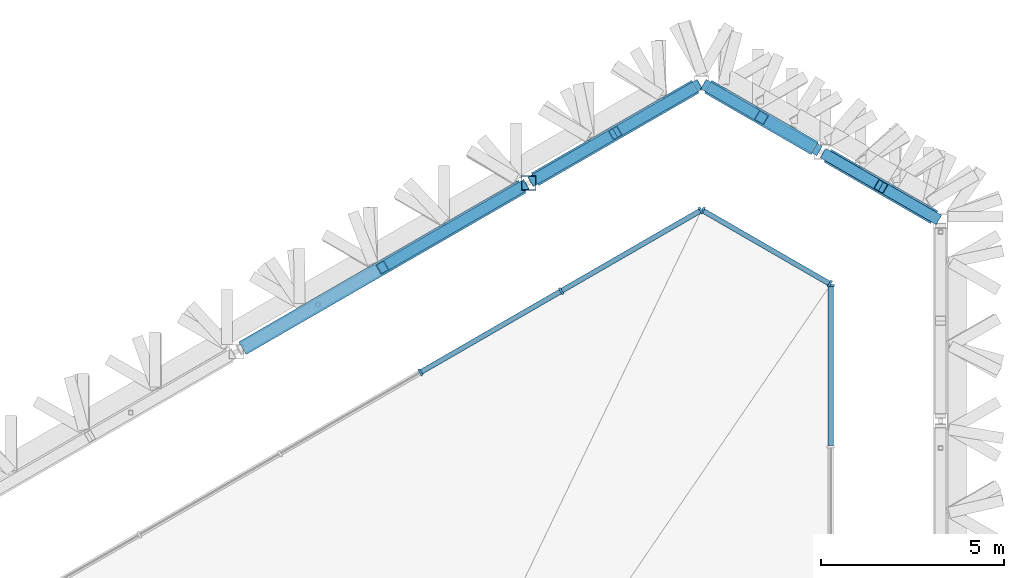
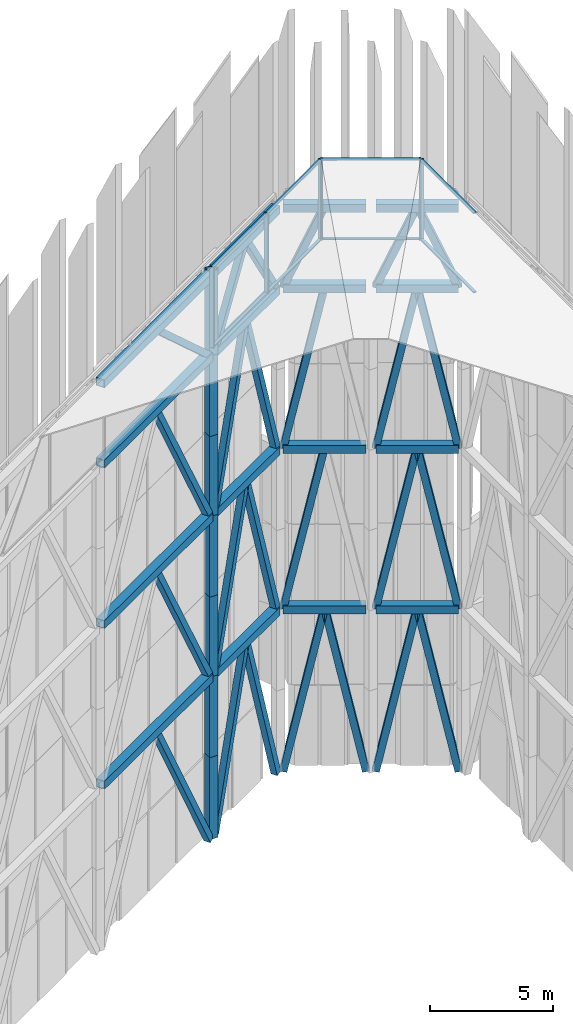
# One storey, part 16 of 45: 62 members, 3 elements without a shape of their own.
"""IFC4 building model written with IfcOpenShell, lengths in metres."""

from ifc_helpers import new_model, si_unit, direction, frame, origin, origin_2d, place, context, subcontext, project, spatial, rectangle, hollow_rectangle, extrude, material, layer, layer_set, material_profile, profile_set, type_object, element, aggregate, save


model = new_model("IFC4")

# Units and contexts
model_context = context("Model", 3, precision=1e-05, world=origin(), true_north=direction((0.0, 1.0)))
body_context = subcontext(model_context, "Body", "Model", "MODEL_VIEW")
ifc_project = project(units=[si_unit("LENGTHUNIT", "METRE"), si_unit("AREAUNIT", "SQUARE_METRE"), si_unit("VOLUMEUNIT", "CUBIC_METRE"), si_unit("PLANEANGLEUNIT", "RADIAN"), si_unit("MASSUNIT", "GRAM", prefix="KILO")], contexts=[model_context])

# Site, building, storey
site_placement = place(None, origin())
site = spatial("IfcSite", under=ifc_project, at=site_placement, CompositionType="ELEMENT")
building_placement = place(site_placement, origin())
building = spatial("IfcBuilding", under=site, at=building_placement, Name="Jabali Bay Hotel Tower and Convention Centre", CompositionType="ELEMENT")
storey_placement = place(building_placement, frame((0.0, 0.0, 322.39990234375)))
storey = spatial("IfcBuildingStorey", under=building, at=storey_placement, Name="Crown", CompositionType="ELEMENT", Elevation=322.39990234375)

# Curtain wall, member
ifc_material_1 = material(Name="Aluminium and glass", Category="aluminium")
ifc_layer = layer(ifc_material_1, 0.199951171875)
ifc_layer_set = layer_set([ifc_layer], Name="Aluminium and glass")
curtain_wall_type = type_object("IfcCurtainWallType", Name="CW6 curtain wall", PredefinedType="NOTDEFINED", material=ifc_layer_set)
curtain_wall_1_placement = place(storey_placement, origin())
curtain_wall_1 = element("IfcCurtainWall", 1, at=curtain_wall_1_placement, inside=storey, type_object=curtain_wall_type, Name="CW6 lantern glazing 1", PredefinedType="NOTDEFINED")
ifc_material_2 = material(Name="Aluminium", Category="aluminium")
ifc_material_profile_1 = material_profile(ifc_material_2, rectangle(XDim=0.199951171875, YDim=0.06005859375, at=origin_2d()), Name="CW6 mullion 60 x 200")
ifc_profile_set_1 = profile_set([ifc_material_profile_1], Name="Aluminium")
member_type_1 = type_object("IfcMemberType", Name="CW6 mullion 60 x 200", PredefinedType="MULLION", material=ifc_profile_set_1)
member_1_placement = place(storey_placement, frame((90.148681640625, 102.139892578125, 28.35009765625), z_axis=(0.0, 0.0, 1.0), x_axis=(-1.0, 0.0, 0.0)))
member_1 = element("IfcMember", 2, at=member_1_placement, type_object=member_type_1, Name="CW6 mullion 11", PredefinedType="MULLION", context=body_context, shape_type="SweptSolid", body=[
    extrude(rectangle(XDim=0.199951171875, YDim=0.06005859375, at=origin_2d()), origin(), (0.0, 0.0, 1.0), 4.0),
])

# Curtain wall, members
curtain_wall_2_placement = place(storey_placement, origin())
curtain_wall_2 = element("IfcCurtainWall", 3, at=curtain_wall_2_placement, inside=storey, type_object=curtain_wall_type, Name="CW6 lantern glazing 2", PredefinedType="NOTDEFINED")
member_2_placement = place(storey_placement, frame((90.122802734375, 102.184814453125, 28.35009765625), z_axis=(0.0, 0.0, 1.0), x_axis=(-0.499999973851, -0.866025418882, 0.0)))
member_2 = element("IfcMember", 4, at=member_2_placement, type_object=member_type_1, Name="CW6 mullion 1", PredefinedType="MULLION", context=body_context, shape_type="SweptSolid", body=[
    extrude(rectangle(XDim=0.199951171875, YDim=0.06005859375, at=origin_2d()), origin(), (0.0, 0.0, 1.0), 4.0),
])
member_3_placement = place(storey_placement, frame((86.6513671875, 104.189208984375, 28.35009765625), z_axis=(0.0, 0.0, 1.0), x_axis=(-0.499999973851, -0.866025418882, 0.0)))
member_3 = element("IfcMember", 5, at=member_3_placement, type_object=member_type_1, Name="CW6 mullion 2", PredefinedType="MULLION", context=body_context, shape_type="SweptSolid", body=[
    extrude(rectangle(XDim=0.199951171875, YDim=0.06005859375, at=origin_2d()), origin(), (0.0, 0.0, 1.0), 4.0),
])

curtain_wall_3_placement = place(storey_placement, origin())
curtain_wall_3 = element("IfcCurtainWall", 6, at=curtain_wall_3_placement, inside=storey, type_object=curtain_wall_type, Name="CW6 lantern glazing 3", PredefinedType="NOTDEFINED")
member_4_placement = place(storey_placement, frame((86.599365234375, 104.189208984375, 28.35009765625), z_axis=(0.0, 0.0, 1.0), x_axis=(0.500000005124, -0.866025400826, 0.0)))
member_4 = element("IfcMember", 7, at=member_4_placement, type_object=member_type_1, Name="CW6 mullion 1", PredefinedType="MULLION", context=body_context, shape_type="SweptSolid", body=[
    extrude(rectangle(XDim=0.199951171875, YDim=0.06005859375, at=origin_2d()), origin(), (0.0, 0.0, 1.0), 4.0),
])
member_5_placement = place(storey_placement, frame((82.785400390625, 101.9873046875, 28.35009765625), z_axis=(0.0, 0.0, 1.0), x_axis=(0.500000005124, -0.866025400826, 0.0)))
member_5 = element("IfcMember", 8, at=member_5_placement, type_object=member_type_1, Name="CW6 mullion 2", PredefinedType="MULLION", context=body_context, shape_type="SweptSolid", body=[
    extrude(rectangle(XDim=0.199951171875, YDim=0.06005859375, at=origin_2d()), origin(), (0.0, 0.0, 1.0), 4.0),
])
member_6_placement = place(storey_placement, frame((78.945556640625, 99.770263671875, 28.35009765625), z_axis=(0.0, 0.0, 1.0), x_axis=(0.500000005124, -0.866025400826, 0.0)))
member_6 = element("IfcMember", 9, at=member_6_placement, type_object=member_type_1, Name="CW6 mullion 3", PredefinedType="MULLION", context=body_context, shape_type="SweptSolid", body=[
    extrude(rectangle(XDim=0.199951171875, YDim=0.06005859375, at=origin_2d()), origin(), (0.0, 0.0, 1.0), 4.0),
])

# Member
ifc_material_profile_2 = material_profile(ifc_material_2, rectangle(XDim=0.139892578125, YDim=0.06005859375, at=origin_2d()), Name="CW6 transom 60 x 140")
ifc_profile_set_2 = profile_set([ifc_material_profile_2], Name="Aluminium")
member_type_2 = type_object("IfcMemberType", Name="CW6 transom 60 x 140", PredefinedType="USERDEFINED", material=ifc_profile_set_2)
member_7_placement = place(storey_placement, frame((90.148681640625, 97.765869140625, 28.380126953125), z_axis=(0.0, 1.0, 0.0), x_axis=(-1.0, 0.0, 0.0)))
member_7 = element("IfcMember", 10, at=member_7_placement, type_object=member_type_2, Name="CW6 transom 10.1", ObjectType="TRANSOM", PredefinedType="USERDEFINED", context=body_context, shape_type="SweptSolid", body=[
    extrude(rectangle(XDim=0.139892578125, YDim=0.06005859375, at=origin_2d()), origin(), (0.0, 0.0, 1.0), 4.343994140625),
])

member_8_placement = place(storey_placement, frame((90.148681640625, 97.765869140625, 32.320068359375), z_axis=(0.0, 1.0, 0.0), x_axis=(-1.0, 0.0, 0.0)))
member_8 = element("IfcMember", 11, at=member_8_placement, type_object=member_type_2, Name="CW6 transom 10.2", ObjectType="TRANSOM", PredefinedType="USERDEFINED", context=body_context, shape_type="SweptSolid", body=[
    extrude(rectangle(XDim=0.139892578125, YDim=0.06005859375, at=origin_2d()), origin(), (0.0, 0.0, 1.0), 4.343994140625),
])

aggregate(curtain_wall_1, [member_1, member_7, member_8])

member_9_placement = place(storey_placement, frame((90.096923828125, 102.199951171875, 28.380126953125), z_axis=(-0.866050709169, 0.499956167226, 0.0), x_axis=(-0.499956167226, -0.866050709169, 0.0)))
member_9 = element("IfcMember", 12, at=member_9_placement, type_object=member_type_2, Name="CW6 transom 1.1", ObjectType="TRANSOM", PredefinedType="USERDEFINED", context=body_context, shape_type="SweptSolid", body=[
    extrude(rectangle(XDim=0.139892578125, YDim=0.06005859375, at=origin_2d()), origin(), (0.0, 0.0, 1.0), 3.948486328125),
])

member_10_placement = place(storey_placement, frame((90.096923828125, 102.199951171875, 32.320068359375), z_axis=(-0.866050709169, 0.499956167226, 0.0), x_axis=(-0.499956167226, -0.866050709169, 0.0)))
member_10 = element("IfcMember", 13, at=member_10_placement, type_object=member_type_2, Name="CW6 transom 1.2", ObjectType="TRANSOM", PredefinedType="USERDEFINED", context=body_context, shape_type="SweptSolid", body=[
    extrude(rectangle(XDim=0.139892578125, YDim=0.06005859375, at=origin_2d()), origin(), (0.0, 0.0, 1.0), 3.948486328125),
])

aggregate(curtain_wall_2, [member_2, member_3, member_9, member_10])

member_11_placement = place(storey_placement, frame((86.573486328125, 104.174072265625, 28.380126953125), z_axis=(-0.866048951036, -0.499959212746, 0.0), x_axis=(0.499959212746, -0.866048951036, 0.0)))
member_11 = element("IfcMember", 14, at=member_11_placement, type_object=member_type_2, Name="CW6 transom 1.1", ObjectType="TRANSOM", PredefinedType="USERDEFINED", context=body_context, shape_type="SweptSolid", body=[
    extrude(rectangle(XDim=0.139892578125, YDim=0.06005859375, at=origin_2d()), origin(), (0.0, 0.0, 1.0), 4.343994140625),
])

member_12_placement = place(storey_placement, frame((86.573486328125, 104.174072265625, 32.320068359375), z_axis=(-0.866048951036, -0.499959212746, 0.0), x_axis=(0.499959212746, -0.866048951036, 0.0)))
member_12 = element("IfcMember", 15, at=member_12_placement, type_object=member_type_2, Name="CW6 transom 1.2", ObjectType="TRANSOM", PredefinedType="USERDEFINED", context=body_context, shape_type="SweptSolid", body=[
    extrude(rectangle(XDim=0.139892578125, YDim=0.06005859375, at=origin_2d()), origin(), (0.0, 0.0, 1.0), 4.343994140625),
])

member_13_placement = place(storey_placement, frame((82.759521484375, 101.97216796875, 28.380126953125), z_axis=(-0.866029434536, -0.499993018469, 0.0), x_axis=(0.499993018469, -0.866029434536, 0.0)))
member_13 = element("IfcMember", 16, at=member_13_placement, type_object=member_type_2, Name="CW6 transom 2.1", ObjectType="TRANSOM", PredefinedType="USERDEFINED", context=body_context, shape_type="SweptSolid", body=[
    extrude(rectangle(XDim=0.139892578125, YDim=0.06005859375, at=origin_2d()), origin(), (0.0, 0.0, 1.0), 4.3740234375),
])

member_14_placement = place(storey_placement, frame((82.759521484375, 101.97216796875, 32.320068359375), z_axis=(-0.866029434536, -0.499993018469, 0.0), x_axis=(0.499993018469, -0.866029434536, 0.0)))
member_14 = element("IfcMember", 17, at=member_14_placement, type_object=member_type_2, Name="CW6 transom 2.2", ObjectType="TRANSOM", PredefinedType="USERDEFINED", context=body_context, shape_type="SweptSolid", body=[
    extrude(rectangle(XDim=0.139892578125, YDim=0.06005859375, at=origin_2d()), origin(), (0.0, 0.0, 1.0), 4.3740234375),
])

aggregate(curtain_wall_3, [member_4, member_5, member_6, member_11, member_12, member_13, member_14])

# Members
ifc_material_3 = material(Name="Steel Q420GJC", Category="steel")
ifc_material_profile_3 = material_profile(ifc_material_3, hollow_rectangle(XDim=0.300048828125, YDim=0.300048828125, WallThickness=0.01611328125, at=origin_2d()), Name="Crown frame brace 300x300x16")
ifc_profile_set_3 = profile_set([ifc_material_profile_3], Name="Steel Q420GJC")
member_type_3 = type_object("IfcMemberType", Name="Crown frame brace 300x300x16", PredefinedType="USERDEFINED", material=ifc_profile_set_3)
for number, where, z_axis, x_axis, name in (
    (18, (89.7138671875, 105.88525390625, -0.099853515625), (-0.176807123891, 0.102069026302, 0.978938790125), (-0.499961005871, -0.866047915885, 0.0), "Crown brace 1 M1-V2l"),
    (19, (86.798583984375, 107.568359375, -0.099853515625), (0.176778438354, -0.102069560637, 0.978943914902), (0.500023814363, 0.866011654119, 0.0), "Crown brace 1 M1-V2r"),
):
    element("IfcMember", number, at=place(storey_placement, frame(where, z_axis=z_axis, x_axis=x_axis)), inside=storey, type_object=member_type_3, Name=name, ObjectType="CROWN FRAME", PredefinedType="USERDEFINED", context=body_context, shape_type="SweptSolid", body=[
        extrude(hollow_rectangle(XDim=0.300048828125, YDim=0.300048828125, WallThickness=0.01611328125, at=origin_2d()), origin(), (0.0, 0.0, 1.0), 8.244873046875),
    ])
for number, where, z_axis, x_axis, name in (
    (20, (86.4521484375, 107.568359375, -0.099853515625), (-0.258862256531, -0.14946351074, 0.954280352465), (0.500023377642, -0.866011906276, 0.0), "Crown brace 1 V2-F1.1l"),
    (21, (82.072998046875, 105.0400390625, -0.099853515625), (0.258889187092, 0.149462393886, 0.954273221683), (-0.499981564561, 0.866036047228, 0.0), "Crown brace 1 V2-F1.1r"),
):
    element("IfcMember", number, at=place(storey_placement, frame(where, z_axis=z_axis, x_axis=x_axis)), inside=storey, type_object=member_type_3, Name=name, ObjectType="CROWN FRAME", PredefinedType="USERDEFINED", context=body_context, shape_type="SweptSolid", body=[
        extrude(hollow_rectangle(XDim=0.300048828125, YDim=0.300048828125, WallThickness=0.01611328125, at=origin_2d()), origin(), (0.0, 0.0, 1.0), 8.4580078125),
    ])
member_15_placement = place(storey_placement, frame((81.726806640625, 104.840087890625, -0.099853515625), z_axis=(-0.415356517765, -0.239807408653, 0.877480125077), x_axis=(0.5000018942, -0.866024310165, 0.0)))
element("IfcMember", 22, at=member_15_placement, inside=storey, type_object=member_type_3, Name="Crown brace 1 F1.1-F1.2l", ObjectType="CROWN FRAME", PredefinedType="USERDEFINED", context=body_context, shape_type="SweptSolid", body=[
    extrude(hollow_rectangle(XDim=0.300048828125, YDim=0.300048828125, WallThickness=0.01611328125, at=origin_2d()), origin(), (0.0, 0.0, 1.0), 9.1982421875),
])
for number, where, z_axis, x_axis, name in (
    (23, (92.9755859375, 104.001953125, -0.099853515625), (-0.176807123891, 0.102069026302, 0.978938790125), (-0.499961005871, -0.866047915885, 0.0), "Crown brace 1 V1-M1l"),
    (24, (90.060302734375, 105.68505859375, -0.099853515625), (0.176778438354, -0.102069560637, 0.978943914902), (0.500023814363, 0.866011654119, 0.0), "Crown brace 1 V1-M1r"),
):
    element("IfcMember", number, at=place(storey_placement, frame(where, z_axis=z_axis, x_axis=x_axis)), inside=storey, type_object=member_type_3, Name=name, ObjectType="CROWN FRAME", PredefinedType="USERDEFINED", context=body_context, shape_type="SweptSolid", body=[
        extrude(hollow_rectangle(XDim=0.300048828125, YDim=0.300048828125, WallThickness=0.01611328125, at=origin_2d()), origin(), (0.0, 0.0, 1.0), 8.244873046875),
    ])
member_16_placement = place(storey_placement, frame((86.798583984375, 107.568359375, 7.971435546875), z_axis=(0.178898900157, -0.103293887578, 0.978430148918), x_axis=(0.500023814363, 0.866011654119, 0.0)))
element("IfcMember", 25, at=member_16_placement, inside=storey, type_object=member_type_3, Name="Crown brace 2 M1-V2r", ObjectType="CROWN FRAME", PredefinedType="USERDEFINED", context=body_context, shape_type="SweptSolid", body=[
    extrude(hollow_rectangle(XDim=0.300048828125, YDim=0.300048828125, WallThickness=0.01611328125, at=origin_2d()), origin(), (0.0, 0.0, 1.0), 8.147216796875),
])
for number, where, z_axis, x_axis, name in (
    (26, (86.4521484375, 107.568359375, 7.971435546875), (-0.261810179426, -0.151165600922, 0.953207422887), (0.500023377642, -0.866011906276, 0.0), "Crown brace 2 V2-F1.1l"),
    (27, (82.072998046875, 105.0400390625, 7.971435546875), (0.261837371857, 0.151164445476, 0.953200136972), (-0.499981564561, 0.866036047228, 0.0), "Crown brace 2 V2-F1.1r"),
):
    element("IfcMember", number, at=place(storey_placement, frame(where, z_axis=z_axis, x_axis=x_axis)), inside=storey, type_object=member_type_3, Name=name, ObjectType="CROWN FRAME", PredefinedType="USERDEFINED", context=body_context, shape_type="SweptSolid", body=[
        extrude(hollow_rectangle(XDim=0.300048828125, YDim=0.300048828125, WallThickness=0.01611328125, at=origin_2d()), origin(), (0.0, 0.0, 1.0), 8.36279296875),
    ])
member_17_placement = place(storey_placement, frame((81.726806640625, 104.840087890625, 7.971435546875), z_axis=(-0.419345319905, -0.242110356275, 0.874946900136), x_axis=(0.5000018942, -0.866024310165, 0.0)))
element("IfcMember", 28, at=member_17_placement, inside=storey, type_object=member_type_3, Name="Crown brace 2 F1.1-F1.2l", ObjectType="CROWN FRAME", PredefinedType="USERDEFINED", context=body_context, shape_type="SweptSolid", body=[
    extrude(hollow_rectangle(XDim=0.300048828125, YDim=0.300048828125, WallThickness=0.01611328125, at=origin_2d()), origin(), (0.0, 0.0, 1.0), 9.11083984375),
])
for number, where, z_axis, x_axis, name in (
    (29, (92.9755859375, 104.001953125, 7.971435546875), (-0.178927907173, 0.103293333784, 0.978424903215), (-0.499961005871, -0.866047915885, 0.0), "Crown brace 2 V1-M1l"),
    (30, (90.060302734375, 105.68505859375, 7.971435546875), (0.178898900157, -0.103293887578, 0.978430148918), (0.500023814363, 0.866011654119, 0.0), "Crown brace 2 V1-M1r"),
    (31, (86.798583984375, 107.568359375, 15.94287109375), (0.178898900157, -0.103293887578, 0.978430148918), (0.500023814363, 0.866011654119, 0.0), "Crown brace 3 M1-V2r"),
):
    element("IfcMember", number, at=place(storey_placement, frame(where, z_axis=z_axis, x_axis=x_axis)), inside=storey, type_object=member_type_3, Name=name, ObjectType="CROWN FRAME", PredefinedType="USERDEFINED", context=body_context, shape_type="SweptSolid", body=[
        extrude(hollow_rectangle(XDim=0.300048828125, YDim=0.300048828125, WallThickness=0.01611328125, at=origin_2d()), origin(), (0.0, 0.0, 1.0), 8.147216796875),
    ])
for number, where, z_axis, x_axis, name in (
    (32, (86.4521484375, 107.568359375, 15.94287109375), (-0.261810179426, -0.151165600922, 0.953207422887), (0.500023377642, -0.866011906276, 0.0), "Crown brace 3 V2-F1.1l"),
    (33, (82.072998046875, 105.0400390625, 15.94287109375), (0.261837371857, 0.151164445476, 0.953200136972), (-0.499981564561, 0.866036047228, 0.0), "Crown brace 3 V2-F1.1r"),
):
    element("IfcMember", number, at=place(storey_placement, frame(where, z_axis=z_axis, x_axis=x_axis)), inside=storey, type_object=member_type_3, Name=name, ObjectType="CROWN FRAME", PredefinedType="USERDEFINED", context=body_context, shape_type="SweptSolid", body=[
        extrude(hollow_rectangle(XDim=0.300048828125, YDim=0.300048828125, WallThickness=0.01611328125, at=origin_2d()), origin(), (0.0, 0.0, 1.0), 8.36279296875),
    ])
member_18_placement = place(storey_placement, frame((81.726806640625, 104.840087890625, 15.94287109375), z_axis=(-0.419345319905, -0.242110356275, 0.874946900136), x_axis=(0.5000018942, -0.866024310165, 0.0)))
element("IfcMember", 34, at=member_18_placement, inside=storey, type_object=member_type_3, Name="Crown brace 3 F1.1-F1.2l", ObjectType="CROWN FRAME", PredefinedType="USERDEFINED", context=body_context, shape_type="SweptSolid", body=[
    extrude(hollow_rectangle(XDim=0.300048828125, YDim=0.300048828125, WallThickness=0.01611328125, at=origin_2d()), origin(), (0.0, 0.0, 1.0), 9.11083984375),
])
for number, where, z_axis, x_axis, name in (
    (35, (92.9755859375, 104.001953125, 15.94287109375), (-0.178927907173, 0.103293333784, 0.978424903215), (-0.499961005871, -0.866047915885, 0.0), "Crown brace 3 V1-M1l"),
    (36, (90.060302734375, 105.68505859375, 15.94287109375), (0.178898900157, -0.103293887578, 0.978430148918), (0.500023814363, 0.866011654119, 0.0), "Crown brace 3 V1-M1r"),
):
    element("IfcMember", number, at=place(storey_placement, frame(where, z_axis=z_axis, x_axis=x_axis)), inside=storey, type_object=member_type_3, Name=name, ObjectType="CROWN FRAME", PredefinedType="USERDEFINED", context=body_context, shape_type="SweptSolid", body=[
        extrude(hollow_rectangle(XDim=0.300048828125, YDim=0.300048828125, WallThickness=0.01611328125, at=origin_2d()), origin(), (0.0, 0.0, 1.0), 8.147216796875),
    ])
member_19_placement = place(storey_placement, frame((86.798583984375, 107.568359375, 23.914306640625), z_axis=(0.336873878655, -0.194506576168, 0.921240023939), x_axis=(0.500023814363, 0.866011654119, 0.0)))
element("IfcMember", 37, at=member_19_placement, inside=storey, type_object=member_type_3, Name="Crown brace 4 M1-V2r", ObjectType="CROWN FRAME", PredefinedType="USERDEFINED", context=body_context, shape_type="SweptSolid", body=[
    extrude(hollow_rectangle(XDim=0.300048828125, YDim=0.300048828125, WallThickness=0.01611328125, at=origin_2d()), origin(), (0.0, 0.0, 1.0), 4.32666015625),
])
member_20_placement = place(storey_placement, frame((86.4521484375, 107.568359375, 23.914306640625), z_axis=(-0.463863802529, -0.267828587142, 0.844451431767), x_axis=(0.500023377642, -0.866011906276, 0.0)))
element("IfcMember", 38, at=member_20_placement, inside=storey, type_object=member_type_3, Name="Crown brace 4 V2-F1.1l", ObjectType="CROWN FRAME", PredefinedType="USERDEFINED", context=body_context, shape_type="SweptSolid", body=[
    extrude(hollow_rectangle(XDim=0.300048828125, YDim=0.300048828125, WallThickness=0.01611328125, at=origin_2d()), origin(), (0.0, 0.0, 1.0), 4.719970703125),
])
member_21_placement = place(storey_placement, frame((82.072998046875, 105.0400390625, 23.914306640625), z_axis=(0.463904395894, 0.267822160992, 0.844431170405), x_axis=(-0.499981564561, 0.866036047228, 0.0)))
element("IfcMember", 39, at=member_21_placement, inside=storey, type_object=member_type_3, Name="Crown brace 4 V2-F1.1r", ObjectType="CROWN FRAME", PredefinedType="USERDEFINED", context=body_context, shape_type="SweptSolid", body=[
    extrude(hollow_rectangle(XDim=0.300048828125, YDim=0.300048828125, WallThickness=0.01611328125, at=origin_2d()), origin(), (0.0, 0.0, 1.0), 4.72021484375),
])
member_22_placement = place(storey_placement, frame((81.726806640625, 104.840087890625, 23.914306640625), z_axis=(-0.642594518952, -0.371003992506, 0.67039415403), x_axis=(0.5000018942, -0.866024310165, 0.0)))
element("IfcMember", 40, at=member_22_placement, inside=storey, type_object=member_type_3, Name="Crown brace 4 F1.1-F1.2l", ObjectType="CROWN FRAME", PredefinedType="USERDEFINED", context=body_context, shape_type="SweptSolid", body=[
    extrude(hollow_rectangle(XDim=0.300048828125, YDim=0.300048828125, WallThickness=0.01611328125, at=origin_2d()), origin(), (0.0, 0.0, 1.0), 5.945556640625),
])
for number, where, z_axis, x_axis, name in (
    (41, (92.9755859375, 104.001953125, 23.914306640625), (-0.336923901362, 0.194502878579, 0.921222511077), (-0.499961005871, -0.866047915885, 0.0), "Crown brace 4 V1-M1l"),
    (42, (90.060302734375, 105.68505859375, 23.914306640625), (0.336873878655, -0.194506576168, 0.921240023939), (0.500023814363, 0.866011654119, 0.0), "Crown brace 4 V1-M1r"),
):
    element("IfcMember", number, at=place(storey_placement, frame(where, z_axis=z_axis, x_axis=x_axis)), inside=storey, type_object=member_type_3, Name=name, ObjectType="CROWN FRAME", PredefinedType="USERDEFINED", context=body_context, shape_type="SweptSolid", body=[
        extrude(hollow_rectangle(XDim=0.300048828125, YDim=0.300048828125, WallThickness=0.01611328125, at=origin_2d()), origin(), (0.0, 0.0, 1.0), 4.32666015625),
    ])
ifc_material_profile_4 = material_profile(ifc_material_3, hollow_rectangle(XDim=0.39990234375, YDim=0.39990234375, WallThickness=0.02001953125, at=origin_2d()), Name="Crown frame member 400x400x20")
ifc_profile_set_4 = profile_set([ifc_material_profile_4], Name="Steel Q420GJC")
member_type_4 = type_object("IfcMemberType", Name="Crown frame member 400x400x20", PredefinedType="USERDEFINED", material=ifc_profile_set_4)
member_23_placement = place(storey_placement, frame((81.89990234375, 104.93994140625, -0.099853515625), z_axis=(0.0, 0.0, 1.0), x_axis=(1.0, 0.0, 0.0)))
element("IfcMember", 43, at=member_23_placement, inside=storey, type_object=member_type_4, Name="Crown post F1.1 1", ObjectType="CROWN FRAME", PredefinedType="USERDEFINED", context=body_context, shape_type="SweptSolid", body=[
    extrude(hollow_rectangle(XDim=0.39990234375, YDim=0.39990234375, WallThickness=0.02001953125, at=origin_2d()), origin(), (0.0, 0.0, 1.0), 4.085693359375),
])
member_24_placement = place(storey_placement, frame((81.89990234375, 104.93994140625, 3.98583984375), z_axis=(0.0, 0.0, 1.0), x_axis=(1.0, 0.0, 0.0)))
element("IfcMember", 44, at=member_24_placement, inside=storey, type_object=member_type_4, Name="Crown post F1.1 2", ObjectType="CROWN FRAME", PredefinedType="USERDEFINED", context=body_context, shape_type="SweptSolid", body=[
    extrude(hollow_rectangle(XDim=0.39990234375, YDim=0.39990234375, WallThickness=0.02001953125, at=origin_2d()), origin(), (0.0, 0.0, 1.0), 3.985595703125),
])
member_25_placement = place(storey_placement, frame((81.89990234375, 104.93994140625, 7.971435546875), z_axis=(0.0, 0.0, 1.0), x_axis=(1.0, 0.0, 0.0)))
element("IfcMember", 45, at=member_25_placement, inside=storey, type_object=member_type_4, Name="Crown post F1.1 3", ObjectType="CROWN FRAME", PredefinedType="USERDEFINED", context=body_context, shape_type="SweptSolid", body=[
    extrude(hollow_rectangle(XDim=0.39990234375, YDim=0.39990234375, WallThickness=0.02001953125, at=origin_2d()), origin(), (0.0, 0.0, 1.0), 3.98583984375),
])
member_26_placement = place(storey_placement, frame((81.89990234375, 104.93994140625, 11.957275390625), z_axis=(0.0, 0.0, 1.0), x_axis=(1.0, 0.0, 0.0)))
element("IfcMember", 46, at=member_26_placement, inside=storey, type_object=member_type_4, Name="Crown post F1.1 4", ObjectType="CROWN FRAME", PredefinedType="USERDEFINED", context=body_context, shape_type="SweptSolid", body=[
    extrude(hollow_rectangle(XDim=0.39990234375, YDim=0.39990234375, WallThickness=0.02001953125, at=origin_2d()), origin(), (0.0, 0.0, 1.0), 3.985595703125),
])
member_27_placement = place(storey_placement, frame((81.89990234375, 104.93994140625, 15.94287109375), z_axis=(0.0, 0.0, 1.0), x_axis=(1.0, 0.0, 0.0)))
element("IfcMember", 47, at=member_27_placement, inside=storey, type_object=member_type_4, Name="Crown post F1.1 5", ObjectType="CROWN FRAME", PredefinedType="USERDEFINED", context=body_context, shape_type="SweptSolid", body=[
    extrude(hollow_rectangle(XDim=0.39990234375, YDim=0.39990234375, WallThickness=0.02001953125, at=origin_2d()), origin(), (0.0, 0.0, 1.0), 3.98583984375),
])
member_28_placement = place(storey_placement, frame((81.89990234375, 104.93994140625, 19.9287109375), z_axis=(0.0, 0.0, 1.0), x_axis=(1.0, 0.0, 0.0)))
element("IfcMember", 48, at=member_28_placement, inside=storey, type_object=member_type_4, Name="Crown post F1.1 6", ObjectType="CROWN FRAME", PredefinedType="USERDEFINED", context=body_context, shape_type="SweptSolid", body=[
    extrude(hollow_rectangle(XDim=0.39990234375, YDim=0.39990234375, WallThickness=0.02001953125, at=origin_2d()), origin(), (0.0, 0.0, 1.0), 3.985595703125),
])
member_29_placement = place(storey_placement, frame((81.89990234375, 104.93994140625, 23.914306640625), z_axis=(0.0, 0.0, 1.0), x_axis=(1.0, 0.0, 0.0)))
element("IfcMember", 49, at=member_29_placement, inside=storey, type_object=member_type_4, Name="Crown post F1.1 7", ObjectType="CROWN FRAME", PredefinedType="USERDEFINED", context=body_context, shape_type="SweptSolid", body=[
    extrude(hollow_rectangle(XDim=0.39990234375, YDim=0.39990234375, WallThickness=0.02001953125, at=origin_2d()), origin(), (0.0, 0.0, 1.0), 4.185791015625),
])
member_30_placement = place(storey_placement, frame((89.7138671875, 105.88525390625, 7.971435546875), z_axis=(-0.86602978671, 0.499992408473, 0.0), x_axis=(-0.499992408473, -0.86602978671, 0.0)))
element("IfcMember", 50, at=member_30_placement, inside=storey, type_object=member_type_4, Name="Crown ring 330.371 M1-V2", ObjectType="CROWN FRAME", PredefinedType="USERDEFINED", context=body_context, shape_type="SweptSolid", body=[
    extrude(hollow_rectangle(XDim=0.39990234375, YDim=0.39990234375, WallThickness=0.02001953125, at=origin_2d()), origin(), (0.0, 0.0, 1.0), 3.3662109375),
])
member_31_placement = place(storey_placement, frame((86.4521484375, 107.568359375, 7.971435546875), z_axis=(-0.866023977509, -0.500002470373, 0.0), x_axis=(0.500002470373, -0.866023977509, 0.0)))
element("IfcMember", 51, at=member_31_placement, inside=storey, type_object=member_type_4, Name="Crown ring 330.371 V2-F1.1", ObjectType="CROWN FRAME", PredefinedType="USERDEFINED", context=body_context, shape_type="SweptSolid", body=[
    extrude(hollow_rectangle(XDim=0.39990234375, YDim=0.39990234375, WallThickness=0.02001953125, at=origin_2d()), origin(), (0.0, 0.0, 1.0), 5.056640625),
])
member_32_placement = place(storey_placement, frame((81.726806640625, 104.840087890625, 7.971435546875), z_axis=(-0.866029374302, -0.499993122799, 0.0), x_axis=(0.499993122799, -0.866029374302, 0.0)))
element("IfcMember", 52, at=member_32_placement, inside=storey, type_object=member_type_4, Name="Crown ring 330.371 F1.1-F1.2", ObjectType="CROWN FRAME", PredefinedType="USERDEFINED", context=body_context, shape_type="SweptSolid", body=[
    extrude(hollow_rectangle(XDim=0.39990234375, YDim=0.39990234375, WallThickness=0.02001953125, at=origin_2d()), origin(), (0.0, 0.0, 1.0), 8.82275390625),
])
for number, where, z_axis, x_axis, name in (
    (53, (92.9755859375, 104.001953125, 7.971435546875), (-0.86602978671, 0.499992408473, 0.0), (-0.499992408473, -0.86602978671, 0.0), "Crown ring 330.371 V1-M1"),
    (54, (89.7138671875, 105.88525390625, 15.94287109375), (-0.86602978671, 0.499992408473, 0.0), (-0.499992408473, -0.86602978671, 0.0), "Crown ring 338.343 M1-V2"),
):
    element("IfcMember", number, at=place(storey_placement, frame(where, z_axis=z_axis, x_axis=x_axis)), inside=storey, type_object=member_type_4, Name=name, ObjectType="CROWN FRAME", PredefinedType="USERDEFINED", context=body_context, shape_type="SweptSolid", body=[
        extrude(hollow_rectangle(XDim=0.39990234375, YDim=0.39990234375, WallThickness=0.02001953125, at=origin_2d()), origin(), (0.0, 0.0, 1.0), 3.3662109375),
    ])
member_33_placement = place(storey_placement, frame((86.4521484375, 107.568359375, 15.94287109375), z_axis=(-0.866023977509, -0.500002470373, 0.0), x_axis=(0.500002470373, -0.866023977509, 0.0)))
element("IfcMember", 55, at=member_33_placement, inside=storey, type_object=member_type_4, Name="Crown ring 338.343 V2-F1.1", ObjectType="CROWN FRAME", PredefinedType="USERDEFINED", context=body_context, shape_type="SweptSolid", body=[
    extrude(hollow_rectangle(XDim=0.39990234375, YDim=0.39990234375, WallThickness=0.02001953125, at=origin_2d()), origin(), (0.0, 0.0, 1.0), 5.056640625),
])
member_34_placement = place(storey_placement, frame((81.726806640625, 104.840087890625, 15.94287109375), z_axis=(-0.866029374302, -0.499993122799, 0.0), x_axis=(0.499993122799, -0.866029374302, 0.0)))
element("IfcMember", 56, at=member_34_placement, inside=storey, type_object=member_type_4, Name="Crown ring 338.343 F1.1-F1.2", ObjectType="CROWN FRAME", PredefinedType="USERDEFINED", context=body_context, shape_type="SweptSolid", body=[
    extrude(hollow_rectangle(XDim=0.39990234375, YDim=0.39990234375, WallThickness=0.02001953125, at=origin_2d()), origin(), (0.0, 0.0, 1.0), 8.82275390625),
])
for number, where, z_axis, x_axis, name in (
    (57, (92.9755859375, 104.001953125, 15.94287109375), (-0.86602978671, 0.499992408473, 0.0), (-0.499992408473, -0.86602978671, 0.0), "Crown ring 338.343 V1-M1"),
    (58, (89.7138671875, 105.88525390625, 23.914306640625), (-0.86602978671, 0.499992408473, 0.0), (-0.499992408473, -0.86602978671, 0.0), "Crown ring 346.314 M1-V2"),
):
    element("IfcMember", number, at=place(storey_placement, frame(where, z_axis=z_axis, x_axis=x_axis)), inside=storey, type_object=member_type_4, Name=name, ObjectType="CROWN FRAME", PredefinedType="USERDEFINED", context=body_context, shape_type="SweptSolid", body=[
        extrude(hollow_rectangle(XDim=0.39990234375, YDim=0.39990234375, WallThickness=0.02001953125, at=origin_2d()), origin(), (0.0, 0.0, 1.0), 3.3662109375),
    ])
member_35_placement = place(storey_placement, frame((86.4521484375, 107.568359375, 23.914306640625), z_axis=(-0.866023977509, -0.500002470373, 0.0), x_axis=(0.500002470373, -0.866023977509, 0.0)))
element("IfcMember", 59, at=member_35_placement, inside=storey, type_object=member_type_4, Name="Crown ring 346.314 V2-F1.1", ObjectType="CROWN FRAME", PredefinedType="USERDEFINED", context=body_context, shape_type="SweptSolid", body=[
    extrude(hollow_rectangle(XDim=0.39990234375, YDim=0.39990234375, WallThickness=0.02001953125, at=origin_2d()), origin(), (0.0, 0.0, 1.0), 5.056640625),
])
member_36_placement = place(storey_placement, frame((81.726806640625, 104.840087890625, 23.914306640625), z_axis=(-0.866029374302, -0.499993122799, 0.0), x_axis=(0.499993122799, -0.866029374302, 0.0)))
element("IfcMember", 60, at=member_36_placement, inside=storey, type_object=member_type_4, Name="Crown ring 346.314 F1.1-F1.2", ObjectType="CROWN FRAME", PredefinedType="USERDEFINED", context=body_context, shape_type="SweptSolid", body=[
    extrude(hollow_rectangle(XDim=0.39990234375, YDim=0.39990234375, WallThickness=0.02001953125, at=origin_2d()), origin(), (0.0, 0.0, 1.0), 8.82275390625),
])
for number, where, z_axis, x_axis, name in (
    (61, (92.9755859375, 104.001953125, 23.914306640625), (-0.86602978671, 0.499992408473, 0.0), (-0.499992408473, -0.86602978671, 0.0), "Crown ring 346.314 V1-M1"),
    (62, (89.7138671875, 105.88525390625, 27.900146484375), (-0.86602978671, 0.499992408473, 0.0), (-0.499992408473, -0.86602978671, 0.0), "Crown ring 350.3 M1-V2"),
):
    element("IfcMember", number, at=place(storey_placement, frame(where, z_axis=z_axis, x_axis=x_axis)), inside=storey, type_object=member_type_4, Name=name, ObjectType="CROWN FRAME", PredefinedType="USERDEFINED", context=body_context, shape_type="SweptSolid", body=[
        extrude(hollow_rectangle(XDim=0.39990234375, YDim=0.39990234375, WallThickness=0.02001953125, at=origin_2d()), origin(), (0.0, 0.0, 1.0), 3.3662109375),
    ])
member_37_placement = place(storey_placement, frame((86.4521484375, 107.568359375, 27.900146484375), z_axis=(-0.866023977509, -0.500002470373, 0.0), x_axis=(0.500002470373, -0.866023977509, 0.0)))
element("IfcMember", 63, at=member_37_placement, inside=storey, type_object=member_type_4, Name="Crown ring 350.3 V2-F1.1", ObjectType="CROWN FRAME", PredefinedType="USERDEFINED", context=body_context, shape_type="SweptSolid", body=[
    extrude(hollow_rectangle(XDim=0.39990234375, YDim=0.39990234375, WallThickness=0.02001953125, at=origin_2d()), origin(), (0.0, 0.0, 1.0), 5.056640625),
])
member_38_placement = place(storey_placement, frame((81.726806640625, 104.840087890625, 27.900146484375), z_axis=(-0.866029374302, -0.499993122799, 0.0), x_axis=(0.499993122799, -0.866029374302, 0.0)))
element("IfcMember", 64, at=member_38_placement, inside=storey, type_object=member_type_4, Name="Crown ring 350.3 F1.1-F1.2", ObjectType="CROWN FRAME", PredefinedType="USERDEFINED", context=body_context, shape_type="SweptSolid", body=[
    extrude(hollow_rectangle(XDim=0.39990234375, YDim=0.39990234375, WallThickness=0.02001953125, at=origin_2d()), origin(), (0.0, 0.0, 1.0), 8.82275390625),
])
member_39_placement = place(storey_placement, frame((92.9755859375, 104.001953125, 27.900146484375), z_axis=(-0.86602978671, 0.499992408473, 0.0), x_axis=(-0.499992408473, -0.86602978671, 0.0)))
element("IfcMember", 65, at=member_39_placement, inside=storey, type_object=member_type_4, Name="Crown ring 350.3 V1-M1", ObjectType="CROWN FRAME", PredefinedType="USERDEFINED", context=body_context, shape_type="SweptSolid", body=[
    extrude(hollow_rectangle(XDim=0.39990234375, YDim=0.39990234375, WallThickness=0.02001953125, at=origin_2d()), origin(), (0.0, 0.0, 1.0), 3.3662109375),
])

save(model, "model.ifc")
